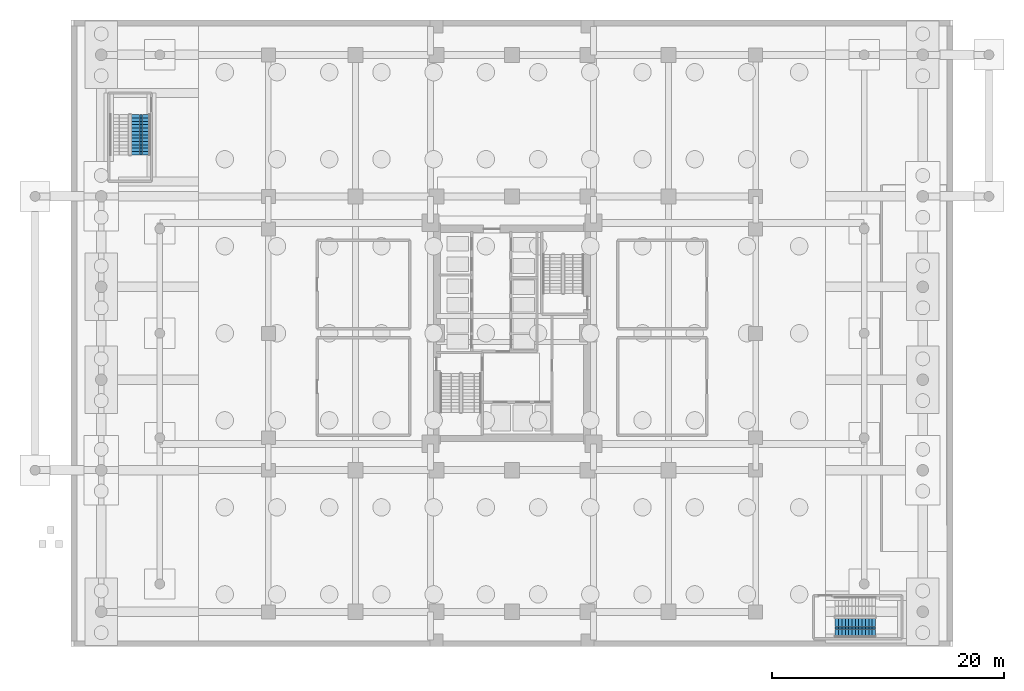
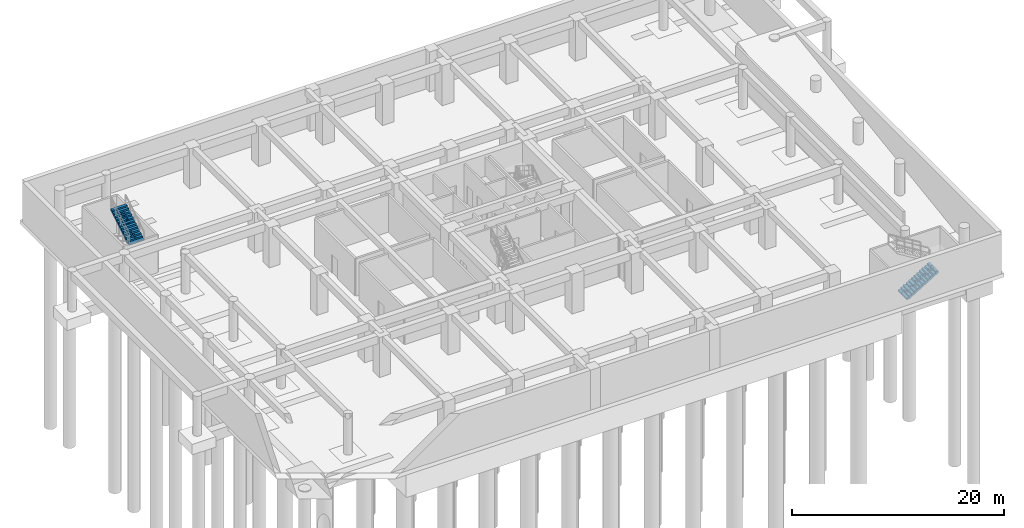
# One storey, part 8 of 14: 2 stair flights, 2 elements without a shape of their own.
"""IFC4 building model written with IfcOpenShell, lengths in metres."""

from ifc_helpers import new_model, si_unit, direction, frame, origin, place, context, subcontext, project, spatial, polyline, outline, extrude, material, type_object, element, aggregate, save


model = new_model("IFC4")

# Units and contexts
model_context = context("Model", 3, precision=1e-05, world=origin(), true_north=direction((0.0, 1.0)))
body_context = subcontext(model_context, "Body", "Model", "MODEL_VIEW")
ifc_project = project(units=[si_unit("LENGTHUNIT", "METRE"), si_unit("AREAUNIT", "SQUARE_METRE"), si_unit("VOLUMEUNIT", "CUBIC_METRE"), si_unit("PLANEANGLEUNIT", "RADIAN"), si_unit("MASSUNIT", "GRAM", prefix="KILO")], contexts=[model_context])

# Site, building, storey
site_placement = place(None, origin())
site = spatial("IfcSite", under=ifc_project, at=site_placement, CompositionType="ELEMENT")
building_placement = place(site_placement, origin())
building = spatial("IfcBuilding", under=site, at=building_placement, Name="Saelheon Loggia Tower", CompositionType="ELEMENT")
storey_placement = place(building_placement, frame((0.0, 0.0, -9.199951171875)))
storey = spatial("IfcBuildingStorey", under=building, at=storey_placement, Name="B2", CompositionType="ELEMENT", Elevation=-9.199951171875)

# Stair, stair flight
ifc_material = material(Name="Concrete C40/50", Category="concrete")
stair_type = type_object("IfcStairType", Name="Stair_Escape_Podium", PredefinedType="HALF_TURN_STAIR", material=ifc_material)
stair_1_placement = place(storey_placement, origin())
stair_1 = element("IfcStair", 1, at=stair_1_placement, inside=storey, type_object=stair_type, Name="B2 Podium Escape Stair ST3", PredefinedType="HALF_TURN_STAIR")
stair_flight_type = type_object("IfcStairFlightType", Name="StairFlight_Podium_1660", PredefinedType="STRAIGHT", material=ifc_material)
stair_flight_1_placement = place(storey_placement, frame((6.0, 42.3701171875, 2.300048828125), z_axis=(0.0, 0.0, 1.0), x_axis=(0.0, 1.0, 0.0)))
stair_flight_1 = element("IfcStairFlight", 2, at=stair_flight_1_placement, type_object=stair_flight_type, Name="ST3 flight 2", NumberOfRisers=13, NumberOfTreads=12, PredefinedType="STRAIGHT", RiserHeight=0.176923077, TreadLength=0.29, context=body_context, shape_type="SweptSolid", body=[
    extrude(outline(polyline([(0.0, 0.0), (0.0, 0.177001953125), (0.2900390625, 0.177001953125), (0.2900390625, 0.353759765625), (0.580078125, 0.353759765625), (0.580078125, 0.53076171875), (0.8701171875, 0.53076171875), (0.8701171875, 0.707763671875), (1.159912109375, 0.707763671875), (1.159912109375, 0.884521484375), (1.449951171875, 0.884521484375), (1.449951171875, 1.0615234375), (1.739990234375, 1.0615234375), (1.739990234375, 1.238525390625), (2.030029296875, 1.238525390625), (2.030029296875, 1.415283203125), (2.320068359375, 1.415283203125), (2.320068359375, 1.59228515625), (2.610107421875, 1.59228515625), (2.610107421875, 1.769287109375), (2.89990234375, 1.769287109375), (2.89990234375, 1.946044921875), (3.18994140625, 1.946044921875), (3.18994140625, 2.123046875), (3.47998046875, 2.123046875), (3.47998046875, 2.300048828125), (3.47998046875, 1.912353515625), (0.345458984375, 0.0), (0.0, 0.0)])), frame((0.0, -0.2490234375, 0.0), z_axis=(0.0, -1.0, 0.0), x_axis=(1.0, 0.0, 0.0)), (0.0, 0.0, 1.0), 0.5810546875),
    extrude(outline(polyline([(0.0, 0.0), (0.0, 0.177001953125), (0.2900390625, 0.177001953125), (0.2900390625, 0.353759765625), (0.580078125, 0.353759765625), (0.580078125, 0.53076171875), (0.8701171875, 0.53076171875), (0.8701171875, 0.707763671875), (1.159912109375, 0.707763671875), (1.159912109375, 0.884521484375), (1.449951171875, 0.884521484375), (1.449951171875, 1.0615234375), (1.739990234375, 1.0615234375), (1.739990234375, 1.238525390625), (2.030029296875, 1.238525390625), (2.030029296875, 1.415283203125), (2.320068359375, 1.415283203125), (2.320068359375, 1.59228515625), (2.610107421875, 1.59228515625), (2.610107421875, 1.769287109375), (2.89990234375, 1.769287109375), (2.89990234375, 1.946044921875), (3.18994140625, 1.946044921875), (3.18994140625, 2.123046875), (3.47998046875, 2.123046875), (3.47998046875, 2.300048828125), (3.47998046875, 1.912353515625), (0.345458984375, 0.0), (0.0, 0.0)])), frame((0.0, -0.194091796875, 0.0), z_axis=(0.0, -1.0, 0.0), x_axis=(1.0, 0.0, 0.0)), (0.0, 0.0, 1.0), 0.0498046875),
    extrude(outline(polyline([(0.0, 0.0), (0.0, 0.177001953125), (0.2900390625, 0.177001953125), (0.2900390625, 0.353759765625), (0.580078125, 0.353759765625), (0.580078125, 0.53076171875), (0.8701171875, 0.53076171875), (0.8701171875, 0.707763671875), (1.159912109375, 0.707763671875), (1.159912109375, 0.884521484375), (1.449951171875, 0.884521484375), (1.449951171875, 1.0615234375), (1.739990234375, 1.0615234375), (1.739990234375, 1.238525390625), (2.030029296875, 1.238525390625), (2.030029296875, 1.415283203125), (2.320068359375, 1.415283203125), (2.320068359375, 1.59228515625), (2.610107421875, 1.59228515625), (2.610107421875, 1.769287109375), (2.89990234375, 1.769287109375), (2.89990234375, 1.946044921875), (3.18994140625, 1.946044921875), (3.18994140625, 2.123046875), (3.47998046875, 2.123046875), (3.47998046875, 2.300048828125), (3.47998046875, 1.912353515625), (0.345458984375, 0.0), (0.0, 0.0)])), frame((0.0, -0.139404296875, 0.0), z_axis=(0.0, -1.0, 0.0), x_axis=(1.0, 0.0, 0.0)), (0.0, 0.0, 1.0), 0.0498046875),
    extrude(outline(polyline([(0.0, 0.0), (0.0, 0.177001953125), (0.2900390625, 0.177001953125), (0.2900390625, 0.353759765625), (0.580078125, 0.353759765625), (0.580078125, 0.53076171875), (0.8701171875, 0.53076171875), (0.8701171875, 0.707763671875), (1.159912109375, 0.707763671875), (1.159912109375, 0.884521484375), (1.449951171875, 0.884521484375), (1.449951171875, 1.0615234375), (1.739990234375, 1.0615234375), (1.739990234375, 1.238525390625), (2.030029296875, 1.238525390625), (2.030029296875, 1.415283203125), (2.320068359375, 1.415283203125), (2.320068359375, 1.59228515625), (2.610107421875, 1.59228515625), (2.610107421875, 1.769287109375), (2.89990234375, 1.769287109375), (2.89990234375, 1.946044921875), (3.18994140625, 1.946044921875), (3.18994140625, 2.123046875), (3.47998046875, 2.123046875), (3.47998046875, 2.300048828125), (3.47998046875, 1.912353515625), (0.345458984375, 0.0), (0.0, 0.0)])), frame((0.0, -0.084716796875, 0.0), z_axis=(0.0, -1.0, 0.0), x_axis=(1.0, 0.0, 0.0)), (0.0, 0.0, 1.0), 0.0498046875),
    extrude(outline(polyline([(0.0, 0.0), (0.0, 0.177001953125), (0.2900390625, 0.177001953125), (0.2900390625, 0.353759765625), (0.580078125, 0.353759765625), (0.580078125, 0.53076171875), (0.8701171875, 0.53076171875), (0.8701171875, 0.707763671875), (1.159912109375, 0.707763671875), (1.159912109375, 0.884521484375), (1.449951171875, 0.884521484375), (1.449951171875, 1.0615234375), (1.739990234375, 1.0615234375), (1.739990234375, 1.238525390625), (2.030029296875, 1.238525390625), (2.030029296875, 1.415283203125), (2.320068359375, 1.415283203125), (2.320068359375, 1.59228515625), (2.610107421875, 1.59228515625), (2.610107421875, 1.769287109375), (2.89990234375, 1.769287109375), (2.89990234375, 1.946044921875), (3.18994140625, 1.946044921875), (3.18994140625, 2.123046875), (3.47998046875, 2.123046875), (3.47998046875, 2.300048828125), (3.47998046875, 1.912353515625), (0.345458984375, 0.0), (0.0, 0.0)])), frame((0.0, -0.02978515625, 0.0), z_axis=(0.0, -1.0, 0.0), x_axis=(1.0, 0.0, 0.0)), (0.0, 0.0, 1.0), 0.0498046875),
    extrude(outline(polyline([(0.0, 0.0), (0.0, 0.177001953125), (0.2900390625, 0.177001953125), (0.2900390625, 0.353759765625), (0.580078125, 0.353759765625), (0.580078125, 0.53076171875), (0.8701171875, 0.53076171875), (0.8701171875, 0.707763671875), (1.159912109375, 0.707763671875), (1.159912109375, 0.884521484375), (1.449951171875, 0.884521484375), (1.449951171875, 1.0615234375), (1.739990234375, 1.0615234375), (1.739990234375, 1.238525390625), (2.030029296875, 1.238525390625), (2.030029296875, 1.415283203125), (2.320068359375, 1.415283203125), (2.320068359375, 1.59228515625), (2.610107421875, 1.59228515625), (2.610107421875, 1.769287109375), (2.89990234375, 1.769287109375), (2.89990234375, 1.946044921875), (3.18994140625, 1.946044921875), (3.18994140625, 2.123046875), (3.47998046875, 2.123046875), (3.47998046875, 2.300048828125), (3.47998046875, 1.912353515625), (0.345458984375, 0.0), (0.0, 0.0)])), frame((0.0, 0.02490234375, 0.0), z_axis=(0.0, -1.0, 0.0), x_axis=(1.0, 0.0, 0.0)), (0.0, 0.0, 1.0), 0.0498046875),
    extrude(outline(polyline([(0.0, 0.0), (0.0, 0.177001953125), (0.2900390625, 0.177001953125), (0.2900390625, 0.353759765625), (0.580078125, 0.353759765625), (0.580078125, 0.53076171875), (0.8701171875, 0.53076171875), (0.8701171875, 0.707763671875), (1.159912109375, 0.707763671875), (1.159912109375, 0.884521484375), (1.449951171875, 0.884521484375), (1.449951171875, 1.0615234375), (1.739990234375, 1.0615234375), (1.739990234375, 1.238525390625), (2.030029296875, 1.238525390625), (2.030029296875, 1.415283203125), (2.320068359375, 1.415283203125), (2.320068359375, 1.59228515625), (2.610107421875, 1.59228515625), (2.610107421875, 1.769287109375), (2.89990234375, 1.769287109375), (2.89990234375, 1.946044921875), (3.18994140625, 1.946044921875), (3.18994140625, 2.123046875), (3.47998046875, 2.123046875), (3.47998046875, 2.300048828125), (3.47998046875, 1.912353515625), (0.345458984375, 0.0), (0.0, 0.0)])), frame((0.0, 0.07958984375, 0.0), z_axis=(0.0, -1.0, 0.0), x_axis=(1.0, 0.0, 0.0)), (0.0, 0.0, 1.0), 0.0498046875),
    extrude(outline(polyline([(0.0, 0.0), (0.0, 0.177001953125), (0.2900390625, 0.177001953125), (0.2900390625, 0.353759765625), (0.580078125, 0.353759765625), (0.580078125, 0.53076171875), (0.8701171875, 0.53076171875), (0.8701171875, 0.707763671875), (1.159912109375, 0.707763671875), (1.159912109375, 0.884521484375), (1.449951171875, 0.884521484375), (1.449951171875, 1.0615234375), (1.739990234375, 1.0615234375), (1.739990234375, 1.238525390625), (2.030029296875, 1.238525390625), (2.030029296875, 1.415283203125), (2.320068359375, 1.415283203125), (2.320068359375, 1.59228515625), (2.610107421875, 1.59228515625), (2.610107421875, 1.769287109375), (2.89990234375, 1.769287109375), (2.89990234375, 1.946044921875), (3.18994140625, 1.946044921875), (3.18994140625, 2.123046875), (3.47998046875, 2.123046875), (3.47998046875, 2.300048828125), (3.47998046875, 1.912353515625), (0.345458984375, 0.0), (0.0, 0.0)])), frame((0.0, 0.134521484375, 0.0), z_axis=(0.0, -1.0, 0.0), x_axis=(1.0, 0.0, 0.0)), (0.0, 0.0, 1.0), 0.0498046875),
    extrude(outline(polyline([(0.0, 0.0), (0.0, 0.177001953125), (0.2900390625, 0.177001953125), (0.2900390625, 0.353759765625), (0.580078125, 0.353759765625), (0.580078125, 0.53076171875), (0.8701171875, 0.53076171875), (0.8701171875, 0.707763671875), (1.159912109375, 0.707763671875), (1.159912109375, 0.884521484375), (1.449951171875, 0.884521484375), (1.449951171875, 1.0615234375), (1.739990234375, 1.0615234375), (1.739990234375, 1.238525390625), (2.030029296875, 1.238525390625), (2.030029296875, 1.415283203125), (2.320068359375, 1.415283203125), (2.320068359375, 1.59228515625), (2.610107421875, 1.59228515625), (2.610107421875, 1.769287109375), (2.89990234375, 1.769287109375), (2.89990234375, 1.946044921875), (3.18994140625, 1.946044921875), (3.18994140625, 2.123046875), (3.47998046875, 2.123046875), (3.47998046875, 2.300048828125), (3.47998046875, 1.912353515625), (0.345458984375, 0.0), (0.0, 0.0)])), frame((0.0, 0.189208984375, 0.0), z_axis=(0.0, -1.0, 0.0), x_axis=(1.0, 0.0, 0.0)), (0.0, 0.0, 1.0), 0.0498046875),
    extrude(outline(polyline([(0.0, 0.0), (0.0, 0.177001953125), (0.2900390625, 0.177001953125), (0.2900390625, 0.353759765625), (0.580078125, 0.353759765625), (0.580078125, 0.53076171875), (0.8701171875, 0.53076171875), (0.8701171875, 0.707763671875), (1.159912109375, 0.707763671875), (1.159912109375, 0.884521484375), (1.449951171875, 0.884521484375), (1.449951171875, 1.0615234375), (1.739990234375, 1.0615234375), (1.739990234375, 1.238525390625), (2.030029296875, 1.238525390625), (2.030029296875, 1.415283203125), (2.320068359375, 1.415283203125), (2.320068359375, 1.59228515625), (2.610107421875, 1.59228515625), (2.610107421875, 1.769287109375), (2.89990234375, 1.769287109375), (2.89990234375, 1.946044921875), (3.18994140625, 1.946044921875), (3.18994140625, 2.123046875), (3.47998046875, 2.123046875), (3.47998046875, 2.300048828125), (3.47998046875, 1.912353515625), (0.345458984375, 0.0), (0.0, 0.0)])), frame((0.0, 0.243896484375, 0.0), z_axis=(0.0, -1.0, 0.0), x_axis=(1.0, 0.0, 0.0)), (0.0, 0.0, 1.0), 0.0498046875),
    extrude(outline(polyline([(0.0, 0.0), (0.0, 0.177001953125), (0.2900390625, 0.177001953125), (0.2900390625, 0.353759765625), (0.580078125, 0.353759765625), (0.580078125, 0.53076171875), (0.8701171875, 0.53076171875), (0.8701171875, 0.707763671875), (1.159912109375, 0.707763671875), (1.159912109375, 0.884521484375), (1.449951171875, 0.884521484375), (1.449951171875, 1.0615234375), (1.739990234375, 1.0615234375), (1.739990234375, 1.238525390625), (2.030029296875, 1.238525390625), (2.030029296875, 1.415283203125), (2.320068359375, 1.415283203125), (2.320068359375, 1.59228515625), (2.610107421875, 1.59228515625), (2.610107421875, 1.769287109375), (2.89990234375, 1.769287109375), (2.89990234375, 1.946044921875), (3.18994140625, 1.946044921875), (3.18994140625, 2.123046875), (3.47998046875, 2.123046875), (3.47998046875, 2.300048828125), (3.47998046875, 1.912353515625), (0.345458984375, 0.0), (0.0, 0.0)])), frame((0.0, 0.830078125, 0.0), z_axis=(0.0, -1.0, 0.0), x_axis=(1.0, 0.0, 0.0)), (0.0, 0.0, 1.0), 0.5810546875),
])
aggregate(stair_1, [stair_flight_1])

stair_2_placement = place(storey_placement, origin())
stair_2 = element("IfcStair", 3, at=stair_2_placement, inside=storey, type_object=stair_type, Name="B2 Podium Escape Stair ST4", PredefinedType="HALF_TURN_STAIR")
stair_flight_2_placement = place(storey_placement, frame((65.85009765625, 1.6298828125, 0.0), z_axis=(0.0, 0.0, 1.0), x_axis=(1.0, 0.0, 0.0)))
stair_flight_2 = element("IfcStairFlight", 4, at=stair_flight_2_placement, type_object=stair_flight_type, Name="ST4 flight 1", NumberOfRisers=13, NumberOfTreads=12, PredefinedType="STRAIGHT", RiserHeight=0.176923077, TreadLength=0.29, context=body_context, shape_type="SweptSolid", body=[
    extrude(outline(polyline([(0.0, 0.0), (0.0, 0.177001953125), (0.2900390625, 0.177001953125), (0.2900390625, 0.353759765625), (0.580078125, 0.353759765625), (0.580078125, 0.53076171875), (0.8701171875, 0.53076171875), (0.8701171875, 0.707763671875), (1.159912109375, 0.707763671875), (1.159912109375, 0.884521484375), (1.449951171875, 0.884521484375), (1.449951171875, 1.0615234375), (1.739990234375, 1.0615234375), (1.739990234375, 1.238525390625), (2.030029296875, 1.238525390625), (2.030029296875, 1.415283203125), (2.320068359375, 1.415283203125), (2.320068359375, 1.59228515625), (2.610107421875, 1.59228515625), (2.610107421875, 1.769287109375), (2.89990234375, 1.769287109375), (2.89990234375, 1.946044921875), (3.18994140625, 1.946044921875), (3.18994140625, 2.123046875), (3.47998046875, 2.123046875), (3.47998046875, 2.300048828125), (3.47998046875, 1.912353515625), (0.345458984375, 0.0), (0.0, 0.0)])), frame((0.0, -0.2490234375, 0.0), z_axis=(0.0, -1.0, 0.0), x_axis=(1.0, 0.0, 0.0)), (0.0, 0.0, 1.0), 0.5810546875),
    extrude(outline(polyline([(0.0, 0.0), (0.0, 0.177001953125), (0.2900390625, 0.177001953125), (0.2900390625, 0.353759765625), (0.580078125, 0.353759765625), (0.580078125, 0.53076171875), (0.8701171875, 0.53076171875), (0.8701171875, 0.707763671875), (1.159912109375, 0.707763671875), (1.159912109375, 0.884521484375), (1.449951171875, 0.884521484375), (1.449951171875, 1.0615234375), (1.739990234375, 1.0615234375), (1.739990234375, 1.238525390625), (2.030029296875, 1.238525390625), (2.030029296875, 1.415283203125), (2.320068359375, 1.415283203125), (2.320068359375, 1.59228515625), (2.610107421875, 1.59228515625), (2.610107421875, 1.769287109375), (2.89990234375, 1.769287109375), (2.89990234375, 1.946044921875), (3.18994140625, 1.946044921875), (3.18994140625, 2.123046875), (3.47998046875, 2.123046875), (3.47998046875, 2.300048828125), (3.47998046875, 1.912353515625), (0.345458984375, 0.0), (0.0, 0.0)])), frame((0.0, -0.194091796875, 0.0), z_axis=(0.0, -1.0, 0.0), x_axis=(1.0, 0.0, 0.0)), (0.0, 0.0, 1.0), 0.0498046875),
    extrude(outline(polyline([(0.0, 0.0), (0.0, 0.177001953125), (0.2900390625, 0.177001953125), (0.2900390625, 0.353759765625), (0.580078125, 0.353759765625), (0.580078125, 0.53076171875), (0.8701171875, 0.53076171875), (0.8701171875, 0.707763671875), (1.159912109375, 0.707763671875), (1.159912109375, 0.884521484375), (1.449951171875, 0.884521484375), (1.449951171875, 1.0615234375), (1.739990234375, 1.0615234375), (1.739990234375, 1.238525390625), (2.030029296875, 1.238525390625), (2.030029296875, 1.415283203125), (2.320068359375, 1.415283203125), (2.320068359375, 1.59228515625), (2.610107421875, 1.59228515625), (2.610107421875, 1.769287109375), (2.89990234375, 1.769287109375), (2.89990234375, 1.946044921875), (3.18994140625, 1.946044921875), (3.18994140625, 2.123046875), (3.47998046875, 2.123046875), (3.47998046875, 2.300048828125), (3.47998046875, 1.912353515625), (0.345458984375, 0.0), (0.0, 0.0)])), frame((0.0, -0.139404296875, 0.0), z_axis=(0.0, -1.0, 0.0), x_axis=(1.0, 0.0, 0.0)), (0.0, 0.0, 1.0), 0.0498046875),
    extrude(outline(polyline([(0.0, 0.0), (0.0, 0.177001953125), (0.2900390625, 0.177001953125), (0.2900390625, 0.353759765625), (0.580078125, 0.353759765625), (0.580078125, 0.53076171875), (0.8701171875, 0.53076171875), (0.8701171875, 0.707763671875), (1.159912109375, 0.707763671875), (1.159912109375, 0.884521484375), (1.449951171875, 0.884521484375), (1.449951171875, 1.0615234375), (1.739990234375, 1.0615234375), (1.739990234375, 1.238525390625), (2.030029296875, 1.238525390625), (2.030029296875, 1.415283203125), (2.320068359375, 1.415283203125), (2.320068359375, 1.59228515625), (2.610107421875, 1.59228515625), (2.610107421875, 1.769287109375), (2.89990234375, 1.769287109375), (2.89990234375, 1.946044921875), (3.18994140625, 1.946044921875), (3.18994140625, 2.123046875), (3.47998046875, 2.123046875), (3.47998046875, 2.300048828125), (3.47998046875, 1.912353515625), (0.345458984375, 0.0), (0.0, 0.0)])), frame((0.0, -0.084716796875, 0.0), z_axis=(0.0, -1.0, 0.0), x_axis=(1.0, 0.0, 0.0)), (0.0, 0.0, 1.0), 0.0498046875),
    extrude(outline(polyline([(0.0, 0.0), (0.0, 0.177001953125), (0.2900390625, 0.177001953125), (0.2900390625, 0.353759765625), (0.580078125, 0.353759765625), (0.580078125, 0.53076171875), (0.8701171875, 0.53076171875), (0.8701171875, 0.707763671875), (1.159912109375, 0.707763671875), (1.159912109375, 0.884521484375), (1.449951171875, 0.884521484375), (1.449951171875, 1.0615234375), (1.739990234375, 1.0615234375), (1.739990234375, 1.238525390625), (2.030029296875, 1.238525390625), (2.030029296875, 1.415283203125), (2.320068359375, 1.415283203125), (2.320068359375, 1.59228515625), (2.610107421875, 1.59228515625), (2.610107421875, 1.769287109375), (2.89990234375, 1.769287109375), (2.89990234375, 1.946044921875), (3.18994140625, 1.946044921875), (3.18994140625, 2.123046875), (3.47998046875, 2.123046875), (3.47998046875, 2.300048828125), (3.47998046875, 1.912353515625), (0.345458984375, 0.0), (0.0, 0.0)])), frame((0.0, -0.02978515625, 0.0), z_axis=(0.0, -1.0, 0.0), x_axis=(1.0, 0.0, 0.0)), (0.0, 0.0, 1.0), 0.0498046875),
    extrude(outline(polyline([(0.0, 0.0), (0.0, 0.177001953125), (0.2900390625, 0.177001953125), (0.2900390625, 0.353759765625), (0.580078125, 0.353759765625), (0.580078125, 0.53076171875), (0.8701171875, 0.53076171875), (0.8701171875, 0.707763671875), (1.159912109375, 0.707763671875), (1.159912109375, 0.884521484375), (1.449951171875, 0.884521484375), (1.449951171875, 1.0615234375), (1.739990234375, 1.0615234375), (1.739990234375, 1.238525390625), (2.030029296875, 1.238525390625), (2.030029296875, 1.415283203125), (2.320068359375, 1.415283203125), (2.320068359375, 1.59228515625), (2.610107421875, 1.59228515625), (2.610107421875, 1.769287109375), (2.89990234375, 1.769287109375), (2.89990234375, 1.946044921875), (3.18994140625, 1.946044921875), (3.18994140625, 2.123046875), (3.47998046875, 2.123046875), (3.47998046875, 2.300048828125), (3.47998046875, 1.912353515625), (0.345458984375, 0.0), (0.0, 0.0)])), frame((0.0, 0.02490234375, 0.0), z_axis=(0.0, -1.0, 0.0), x_axis=(1.0, 0.0, 0.0)), (0.0, 0.0, 1.0), 0.0498046875),
    extrude(outline(polyline([(0.0, 0.0), (0.0, 0.177001953125), (0.2900390625, 0.177001953125), (0.2900390625, 0.353759765625), (0.580078125, 0.353759765625), (0.580078125, 0.53076171875), (0.8701171875, 0.53076171875), (0.8701171875, 0.707763671875), (1.159912109375, 0.707763671875), (1.159912109375, 0.884521484375), (1.449951171875, 0.884521484375), (1.449951171875, 1.0615234375), (1.739990234375, 1.0615234375), (1.739990234375, 1.238525390625), (2.030029296875, 1.238525390625), (2.030029296875, 1.415283203125), (2.320068359375, 1.415283203125), (2.320068359375, 1.59228515625), (2.610107421875, 1.59228515625), (2.610107421875, 1.769287109375), (2.89990234375, 1.769287109375), (2.89990234375, 1.946044921875), (3.18994140625, 1.946044921875), (3.18994140625, 2.123046875), (3.47998046875, 2.123046875), (3.47998046875, 2.300048828125), (3.47998046875, 1.912353515625), (0.345458984375, 0.0), (0.0, 0.0)])), frame((0.0, 0.07958984375, 0.0), z_axis=(0.0, -1.0, 0.0), x_axis=(1.0, 0.0, 0.0)), (0.0, 0.0, 1.0), 0.0498046875),
    extrude(outline(polyline([(0.0, 0.0), (0.0, 0.177001953125), (0.2900390625, 0.177001953125), (0.2900390625, 0.353759765625), (0.580078125, 0.353759765625), (0.580078125, 0.53076171875), (0.8701171875, 0.53076171875), (0.8701171875, 0.707763671875), (1.159912109375, 0.707763671875), (1.159912109375, 0.884521484375), (1.449951171875, 0.884521484375), (1.449951171875, 1.0615234375), (1.739990234375, 1.0615234375), (1.739990234375, 1.238525390625), (2.030029296875, 1.238525390625), (2.030029296875, 1.415283203125), (2.320068359375, 1.415283203125), (2.320068359375, 1.59228515625), (2.610107421875, 1.59228515625), (2.610107421875, 1.769287109375), (2.89990234375, 1.769287109375), (2.89990234375, 1.946044921875), (3.18994140625, 1.946044921875), (3.18994140625, 2.123046875), (3.47998046875, 2.123046875), (3.47998046875, 2.300048828125), (3.47998046875, 1.912353515625), (0.345458984375, 0.0), (0.0, 0.0)])), frame((0.0, 0.134521484375, 0.0), z_axis=(0.0, -1.0, 0.0), x_axis=(1.0, 0.0, 0.0)), (0.0, 0.0, 1.0), 0.0498046875),
    extrude(outline(polyline([(0.0, 0.0), (0.0, 0.177001953125), (0.2900390625, 0.177001953125), (0.2900390625, 0.353759765625), (0.580078125, 0.353759765625), (0.580078125, 0.53076171875), (0.8701171875, 0.53076171875), (0.8701171875, 0.707763671875), (1.159912109375, 0.707763671875), (1.159912109375, 0.884521484375), (1.449951171875, 0.884521484375), (1.449951171875, 1.0615234375), (1.739990234375, 1.0615234375), (1.739990234375, 1.238525390625), (2.030029296875, 1.238525390625), (2.030029296875, 1.415283203125), (2.320068359375, 1.415283203125), (2.320068359375, 1.59228515625), (2.610107421875, 1.59228515625), (2.610107421875, 1.769287109375), (2.89990234375, 1.769287109375), (2.89990234375, 1.946044921875), (3.18994140625, 1.946044921875), (3.18994140625, 2.123046875), (3.47998046875, 2.123046875), (3.47998046875, 2.300048828125), (3.47998046875, 1.912353515625), (0.345458984375, 0.0), (0.0, 0.0)])), frame((0.0, 0.189208984375, 0.0), z_axis=(0.0, -1.0, 0.0), x_axis=(1.0, 0.0, 0.0)), (0.0, 0.0, 1.0), 0.0498046875),
    extrude(outline(polyline([(0.0, 0.0), (0.0, 0.177001953125), (0.2900390625, 0.177001953125), (0.2900390625, 0.353759765625), (0.580078125, 0.353759765625), (0.580078125, 0.53076171875), (0.8701171875, 0.53076171875), (0.8701171875, 0.707763671875), (1.159912109375, 0.707763671875), (1.159912109375, 0.884521484375), (1.449951171875, 0.884521484375), (1.449951171875, 1.0615234375), (1.739990234375, 1.0615234375), (1.739990234375, 1.238525390625), (2.030029296875, 1.238525390625), (2.030029296875, 1.415283203125), (2.320068359375, 1.415283203125), (2.320068359375, 1.59228515625), (2.610107421875, 1.59228515625), (2.610107421875, 1.769287109375), (2.89990234375, 1.769287109375), (2.89990234375, 1.946044921875), (3.18994140625, 1.946044921875), (3.18994140625, 2.123046875), (3.47998046875, 2.123046875), (3.47998046875, 2.300048828125), (3.47998046875, 1.912353515625), (0.345458984375, 0.0), (0.0, 0.0)])), frame((0.0, 0.243896484375, 0.0), z_axis=(0.0, -1.0, 0.0), x_axis=(1.0, 0.0, 0.0)), (0.0, 0.0, 1.0), 0.0498046875),
    extrude(outline(polyline([(0.0, 0.0), (0.0, 0.177001953125), (0.2900390625, 0.177001953125), (0.2900390625, 0.353759765625), (0.580078125, 0.353759765625), (0.580078125, 0.53076171875), (0.8701171875, 0.53076171875), (0.8701171875, 0.707763671875), (1.159912109375, 0.707763671875), (1.159912109375, 0.884521484375), (1.449951171875, 0.884521484375), (1.449951171875, 1.0615234375), (1.739990234375, 1.0615234375), (1.739990234375, 1.238525390625), (2.030029296875, 1.238525390625), (2.030029296875, 1.415283203125), (2.320068359375, 1.415283203125), (2.320068359375, 1.59228515625), (2.610107421875, 1.59228515625), (2.610107421875, 1.769287109375), (2.89990234375, 1.769287109375), (2.89990234375, 1.946044921875), (3.18994140625, 1.946044921875), (3.18994140625, 2.123046875), (3.47998046875, 2.123046875), (3.47998046875, 2.300048828125), (3.47998046875, 1.912353515625), (0.345458984375, 0.0), (0.0, 0.0)])), frame((0.0, 0.830078125, 0.0), z_axis=(0.0, -1.0, 0.0), x_axis=(1.0, 0.0, 0.0)), (0.0, 0.0, 1.0), 0.5810546875),
])
aggregate(stair_2, [stair_flight_2])

save(model, "model.ifc")
